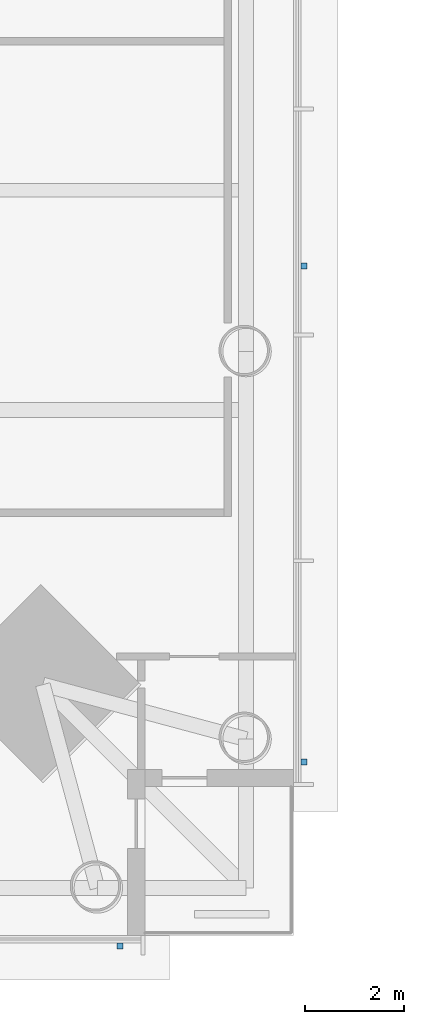
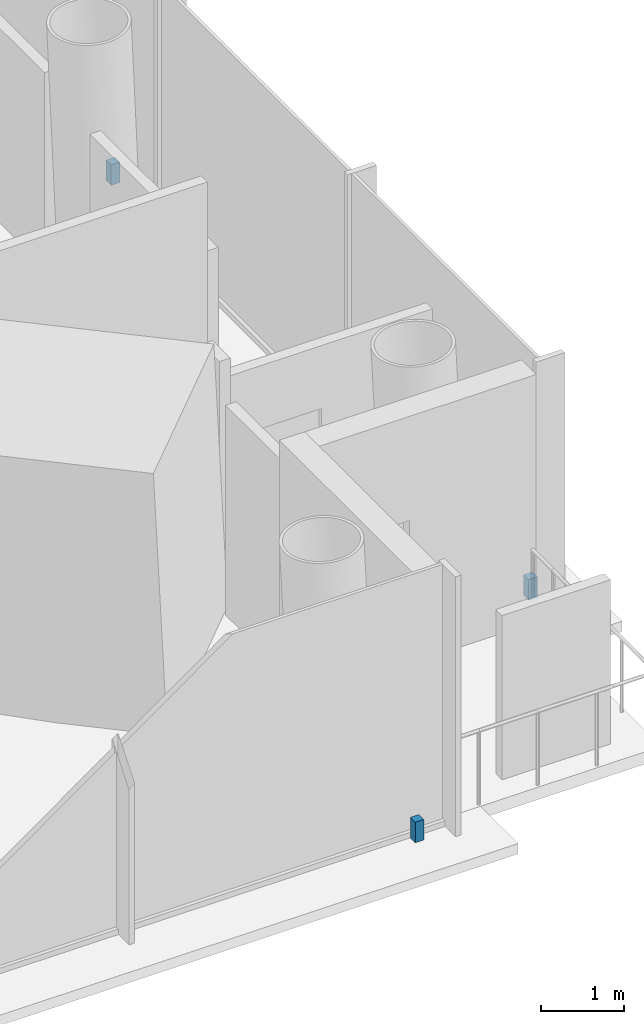
# One storey, part 19 of 26: 3 discrete accessories.
"""IFC4 building model written with IfcOpenShell, lengths in metres."""

from ifc_helpers import new_model, si_unit, direction, frame, origin, origin_2d, place, context, subcontext, project, spatial, rectangle, extrude, material, type_object, element, save


model = new_model("IFC4")

# Units and contexts
model_context = context("Model", 3, precision=1e-05, world=origin(), true_north=direction((0.0, 1.0)))
body_context = subcontext(model_context, "Body", "Model", "MODEL_VIEW")
ifc_project = project(units=[si_unit("LENGTHUNIT", "METRE"), si_unit("AREAUNIT", "SQUARE_METRE"), si_unit("VOLUMEUNIT", "CUBIC_METRE"), si_unit("PLANEANGLEUNIT", "RADIAN"), si_unit("MASSUNIT", "GRAM", prefix="KILO")], contexts=[model_context])

# Site, building, storey
site_placement = place(None, origin())
site = spatial("IfcSite", under=ifc_project, at=site_placement, CompositionType="ELEMENT")
building_placement = place(site_placement, origin())
building = spatial("IfcBuilding", under=site, at=building_placement, Name="Ostroluk Exchange", CompositionType="ELEMENT")
storey_placement = place(building_placement, frame((0.0, 0.0, 66.60009765625)))
storey = spatial("IfcBuildingStorey", under=building, at=storey_placement, Name="L16", CompositionType="ELEMENT", Elevation=66.60009765625)

# Discrete accessories
ifc_material = material(Name="Stainless steel", Category="steel")
discrete_accessory_type = type_object("IfcDiscreteAccessoryType", Name="Fall-arrest anchor PN-EN 795 type C", PredefinedType="USERDEFINED", material=ifc_material)
for number, where, z_axis, x_axis, name in (
    (1, (65.0, 22.2900390625, 0.0), (0.0, 0.0, 1.0), (1.0, 0.0, 0.0), "Fall-arrest anchor L16 south 5"),
    (2, (68.7099609375, 26.0, 0.0), (0.0, 0.0, 1.0), (1.0, 0.0, 0.0), "Fall-arrest anchor L16 east 1"),
    (3, (68.7099609375, 36.0, 0.0), (0.0, 0.0, 1.0), (1.0, 0.0, 0.0), "Fall-arrest anchor L16 east 2"),
):
    element("IfcDiscreteAccessory", number, at=place(storey_placement, frame(where, z_axis=z_axis, x_axis=x_axis)), inside=storey, type_object=discrete_accessory_type, Name=name, ObjectType="FALL ARREST ANCHOR", PredefinedType="USERDEFINED", context=body_context, shape_type="SweptSolid", body=[
        extrude(rectangle(XDim=0.1201171875, YDim=0.1201171875, at=origin_2d()), origin(), (0.0, 0.0, 1.0), 0.300048828125),
    ])

save(model, "model.ifc")
